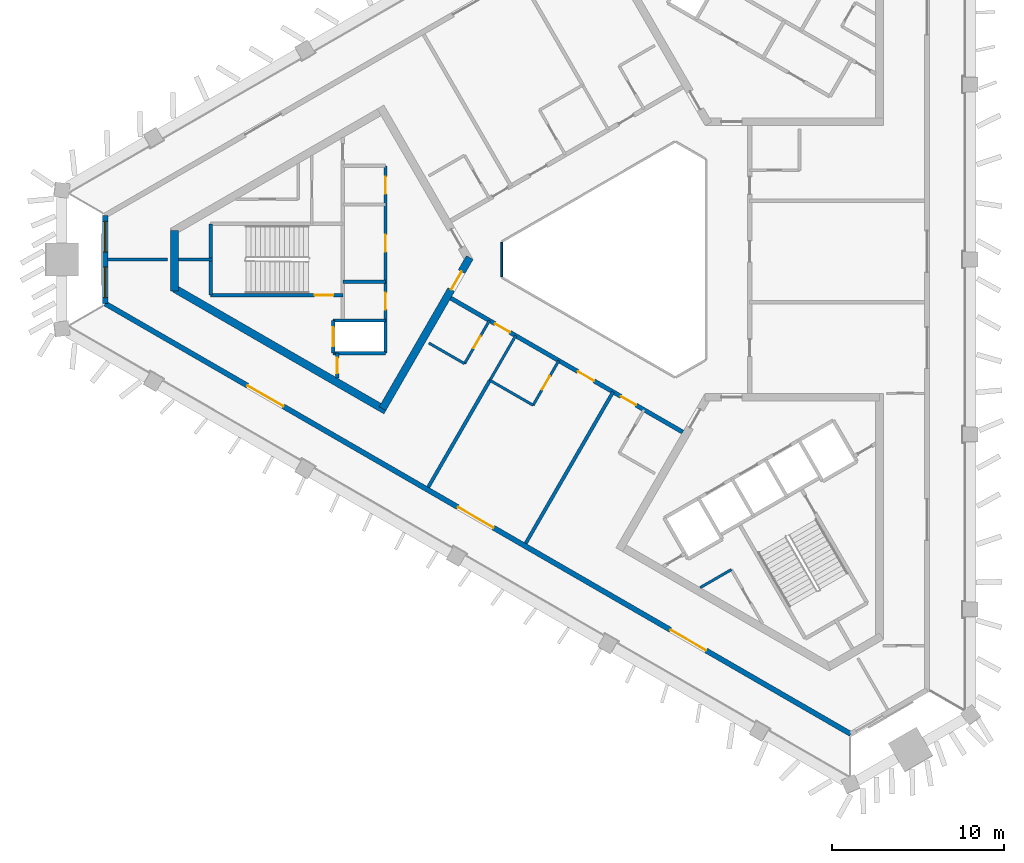
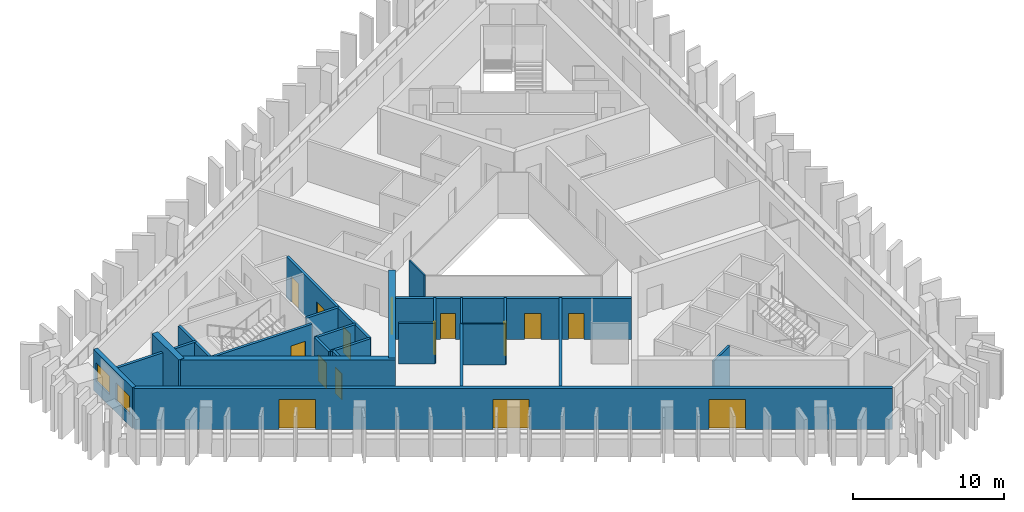
# One storey, part 2 of 9: 25 walls, 15 doors, 2 windows, 17 openings.
"""IFC4 building model written with IfcOpenShell, lengths in metres."""

from ifc_helpers import new_model, si_unit, direction, frame, frame_2d, origin, place, context, subcontext, project, spatial, rectangle, extrude, material, layer, layer_set, type_object, element, fill, save


model = new_model("IFC4")

# Units and contexts
model_context = context("Model", 3, precision=1e-05, world=origin(), true_north=direction((0.0, 1.0)))
body_context = subcontext(model_context, "Body", "Model", "MODEL_VIEW")
ifc_project = project(units=[si_unit("LENGTHUNIT", "METRE"), si_unit("AREAUNIT", "SQUARE_METRE"), si_unit("VOLUMEUNIT", "CUBIC_METRE"), si_unit("PLANEANGLEUNIT", "RADIAN"), si_unit("MASSUNIT", "GRAM", prefix="KILO")], contexts=[model_context])

# Site, building, storey
site_placement = place(None, origin())
site = spatial("IfcSite", under=ifc_project, at=site_placement, CompositionType="ELEMENT")
building_placement = place(site_placement, origin())
building = spatial("IfcBuilding", under=site, at=building_placement, Name="Jabali Bay Hotel Tower and Convention Centre", CompositionType="ELEMENT")
storey_placement = place(building_placement, frame((0.0, 0.0, 231.699951171875)))
storey = spatial("IfcBuildingStorey", under=building, at=storey_placement, Name="L57", CompositionType="ELEMENT", Elevation=231.699951171875)

# Walls
ifc_material_1 = material(Name="Fire-resistant glazing", Category="glass")
ifc_layer_1 = layer(ifc_material_1, 0.10009765625)
ifc_layer_set_1 = layer_set([ifc_layer_1], Name="Fire-resistant glazing")
wall_type_1 = type_object("IfcWallType", Name="Atrium glazed screen 100", PredefinedType="PARTITIONING", material=ifc_layer_set_1)
wall_1_placement = place(storey_placement, frame((67.672119140625, 81.0, 0.0), z_axis=(0.0, 0.0, 1.0), x_axis=(0.0, -1.0, 0.0)))
element("IfcWall", 1, at=wall_1_placement, inside=storey, type_object=wall_type_1, Name="Atrium screen 4 L57", PredefinedType="PARTITIONING", context=body_context, shape_type="SweptSolid", body=[
    extrude(rectangle(XDim=2.0, YDim=0.10009765625, at=frame_2d((1.0, 0.0))), origin(), (0.0, 0.0, 1.0), 3.300048828125),
])
ifc_material_2 = material(Name="Concrete C40", Category="concrete")
ifc_layer_2 = layer(ifc_material_2, 0.199951171875)
ifc_layer_set_2 = layer_set([ifc_layer_2], Name="Concrete C40")
wall_type_2 = type_object("IfcWallType", Name="Core partition wall 200", PredefinedType="PARTITIONING", material=ifc_layer_set_2)
wall_2_placement = place(storey_placement, frame((50.820068359375, 80.0, 0.0), z_axis=(0.0, 0.0, 1.0), x_axis=(-1.0, 0.0, 0.0)))
element("IfcWall", 2, at=wall_2_placement, inside=storey, type_object=wall_type_2, Name="Core wall 0.4 L57", PredefinedType="PARTITIONING", context=body_context, shape_type="SweptSolid", body=[
    extrude(rectangle(XDim=1.97314453125, YDim=0.199951171875, at=frame_2d((0.986572265625, 0.0))), origin(), (0.0, 0.0, 1.0), 3.300048828125),
])

# Wall, opening, door
wall_3_placement = place(storey_placement, frame((58.10009765625, 74.550048828125, 0.0), z_axis=(0.0, 0.0, 1.0), x_axis=(0.0, -1.0, 0.0)))
wall_3 = element("IfcWall", 3, at=wall_3_placement, inside=storey, type_object=wall_type_2, Name="Core wall 0.11 L57", PredefinedType="PARTITIONING", context=body_context, shape_type="SweptSolid", body=[
    extrude(rectangle(XDim=1.455078125, YDim=0.199951171875, at=frame_2d((0.7275390625, 0.0))), origin(), (0.0, 0.0, 1.0), 3.300048828125),
])
opening_1_placement = place(wall_3_placement, frame((0.277587890625, 0.0, 0.0)))
opening_1 = element("IfcOpeningElement", 4, at=opening_1_placement, cuts=wall_3, Name="Opening D1239", PredefinedType="OPENING", context=body_context, shape_type="SweptSolid", body=[
    extrude(rectangle(XDim=0.89990234375, YDim=2.10009765625, at=frame_2d((0.449951171875, 1.050048828125))), frame((0.0, 0.1103515625, 0.0), z_axis=(0.0, -1.0, 0.0), x_axis=(1.0, 0.0, 0.0)), (0.0, 0.0, 1.0), 0.220947265625),
])
ifc_material_3 = material(Name="Fire-rated steel door", Category="steel")
door_type_1 = type_object("IfcDoorType", Name="Vestibule fire door 900 x 2100", OperationType="NOTDEFINED", PredefinedType="NOTDEFINED", material=ifc_material_3)
door_1_placement = place(opening_1_placement, origin())
door_1 = element("IfcDoor", 5, at=door_1_placement, inside=storey, type_object=door_type_1, Name="Vestibule fire door D1239", OperationType="SINGLE_SWING_LEFT", OverallHeight=2.10009765625, OverallWidth=0.89990234375, PredefinedType="NOTDEFINED", context=body_context, shape_type="SweptSolid", body=[
    extrude(rectangle(XDim=0.89990234375, YDim=2.10009765625, at=frame_2d((0.449951171875, 1.050048828125))), frame((0.0, 0.02490234375, 0.0), z_axis=(0.0, -1.0, 0.0), x_axis=(1.0, 0.0, 0.0)), (0.0, 0.0, 1.0), 0.050048828125),
])
fill(opening_1, door_1)

# Walls
ifc_material_4 = material(Name="Fire-rated board partition")
ifc_layer_3 = layer(ifc_material_4, 0.14990234375)
ifc_layer_set_3 = layer_set([ifc_layer_3], Name="Fire-rated board partition")
wall_type_3 = type_object("IfcWallType", Name="Core room partition 150", PredefinedType="PARTITIONING", material=ifc_layer_set_3)
wall_4_placement = place(storey_placement, frame((79.219970703125, 60.9013671875, 0.0), z_axis=(0.0, 0.0, 1.0), x_axis=(0.866040030748, 0.499974664501, 0.0)))
element("IfcWall", 6, at=wall_4_placement, inside=storey, type_object=wall_type_3, Name="Core wall 2.16 L57", PredefinedType="PARTITIONING", context=body_context, shape_type="SweptSolid", body=[
    extrude(rectangle(XDim=2.0947265625, YDim=0.14990234375, at=frame_2d((1.04736328125, 0.0))), origin(), (0.0, 0.0, 1.0), 3.300048828125),
])
ifc_layer_4 = layer(ifc_material_2, 0.199951171875)
ifc_layer_set_4 = layer_set([ifc_layer_4], Name="Concrete C40")
wall_type_4 = type_object("IfcWallType", Name="Core stair wall 200", PredefinedType="SOLIDWALL", material=ifc_layer_set_4)
wall_5_placement = place(storey_placement, frame((60.89990234375, 78.699951171875, 0.0), z_axis=(0.0, 0.0, 1.0), x_axis=(-1.0, 0.0, 0.0)))
element("IfcWall", 7, at=wall_5_placement, inside=storey, type_object=wall_type_4, Name="Core wall 0.5 L57", PredefinedType="SOLIDWALL", context=body_context, shape_type="SweptSolid", body=[
    extrude(rectangle(XDim=2.47998046875, YDim=0.199951171875, at=frame_2d((1.239990234375, 0.0))), origin(), (0.0, 0.0, 1.0), 3.300048828125),
])

# Wall, opening, door
wall_6_placement = place(storey_placement, frame((58.419921875, 77.925048828125, 0.0), z_axis=(0.0, 0.0, 1.0), x_axis=(-1.0, 0.0, 0.0)))
wall_6 = element("IfcWall", 8, at=wall_6_placement, inside=storey, type_object=wall_type_4, Name="Core wall 0.6 L57", PredefinedType="SOLIDWALL", context=body_context, shape_type="SweptSolid", body=[
    extrude(rectangle(XDim=7.699951171875, YDim=0.199951171875, at=frame_2d((3.85009765625, 0.0))), origin(), (0.0, 0.0, 1.0), 3.300048828125),
])
opening_2_placement = place(wall_6_placement, frame((0.550048828125, 0.0, 0.0)))
opening_2 = element("IfcOpeningElement", 9, at=opening_2_placement, cuts=wall_6, Name="Opening D1241", PredefinedType="OPENING", context=body_context, shape_type="SweptSolid", body=[
    extrude(rectangle(XDim=1.10009765625, YDim=2.10009765625, at=frame_2d((0.550048828125, 1.050048828125))), frame((0.0, 0.1103515625, 0.0), z_axis=(0.0, -1.0, 0.0), x_axis=(1.0, 0.0, 0.0)), (0.0, 0.0, 1.0), 0.220947265625),
])
door_type_2 = type_object("IfcDoorType", Name="Stair fire door 1100 x 2100", OperationType="NOTDEFINED", PredefinedType="NOTDEFINED", material=ifc_material_3)
door_2_placement = place(opening_2_placement, origin())
door_2 = element("IfcDoor", 10, at=door_2_placement, inside=storey, type_object=door_type_2, Name="Stair fire door D1241", OperationType="SINGLE_SWING_RIGHT", OverallHeight=2.10009765625, OverallWidth=1.10009765625, PredefinedType="NOTDEFINED", context=body_context, shape_type="SweptSolid", body=[
    extrude(rectangle(XDim=1.10009765625, YDim=2.10009765625, at=frame_2d((0.550048828125, 1.050048828125))), frame((0.0, 0.02490234375, 0.0), z_axis=(0.0, -1.0, 0.0), x_axis=(1.0, 0.0, 0.0)), (0.0, 0.0, 1.0), 0.050048828125),
])
fill(opening_2, door_2)

# Walls
for number, where, z_axis, x_axis, name in (
    (11, (60.89990234375, 76.449951171875, 0.0), (0.0, 0.0, 1.0), (-1.0, 0.0, 0.0), "Core wall 0.7 L57"),
    (12, (60.89990234375, 74.550048828125, 0.0), (0.0, 0.0, 1.0), (-1.0, 0.0, 0.0), "Core wall 0.8 L57"),
):
    element("IfcWall", number, at=place(storey_placement, frame(where, z_axis=z_axis, x_axis=x_axis)), inside=storey, type_object=wall_type_4, Name=name, PredefinedType="SOLIDWALL", context=body_context, shape_type="SweptSolid", body=[
        extrude(rectangle(XDim=3.0498046875, YDim=0.199951171875, at=frame_2d((1.52490234375, 0.0))), origin(), (0.0, 0.0, 1.0), 3.300048828125),
    ])

# Wall, openings, doors
wall_7_placement = place(storey_placement, frame((60.89990234375, 85.449951171875, 0.0), z_axis=(0.0, 0.0, 1.0), x_axis=(0.0, -1.0, 0.0)))
wall_7 = element("IfcWall", 13, at=wall_7_placement, inside=storey, type_object=wall_type_4, Name="Core wall 0.9 L57", PredefinedType="SOLIDWALL", context=body_context, shape_type="SweptSolid", body=[
    extrude(rectangle(XDim=10.89990234375, YDim=0.199951171875, at=frame_2d((5.449951171875, 0.0))), origin(), (0.0, 0.0, 1.0), 3.300048828125),
])
opening_3_placement = place(wall_7_placement, frame((0.625, 0.0, 0.0)))
opening_3 = element("IfcOpeningElement", 14, at=opening_3_placement, cuts=wall_7, Name="Opening D1235", PredefinedType="OPENING", context=body_context, shape_type="SweptSolid", body=[
    extrude(rectangle(XDim=1.0, YDim=2.10009765625, at=frame_2d((0.5, 1.050048828125))), frame((0.0, 0.1103515625, 0.0), z_axis=(0.0, -1.0, 0.0), x_axis=(1.0, 0.0, 0.0)), (0.0, 0.0, 1.0), 0.220947265625),
])
opening_4_placement = place(wall_7_placement, frame((4.0, 0.0, 0.0)))
opening_4 = element("IfcOpeningElement", 15, at=opening_4_placement, cuts=wall_7, Name="Opening D1236", PredefinedType="OPENING", context=body_context, shape_type="SweptSolid", body=[
    extrude(rectangle(XDim=1.0, YDim=2.10009765625, at=frame_2d((0.5, 1.050048828125))), frame((0.0, 0.1103515625, 0.0), z_axis=(0.0, -1.0, 0.0), x_axis=(1.0, 0.0, 0.0)), (0.0, 0.0, 1.0), 0.220947265625),
])
opening_5_placement = place(wall_7_placement, frame((7.375, 0.0, 0.0)))
opening_5 = element("IfcOpeningElement", 16, at=opening_5_placement, cuts=wall_7, Name="Opening D1237", PredefinedType="OPENING", context=body_context, shape_type="SweptSolid", body=[
    extrude(rectangle(XDim=1.0, YDim=2.10009765625, at=frame_2d((0.5, 1.050048828125))), frame((0.0, 0.1103515625, 0.0), z_axis=(0.0, -1.0, 0.0), x_axis=(1.0, 0.0, 0.0)), (0.0, 0.0, 1.0), 0.220947265625),
])
door_type_3 = type_object("IfcDoorType", Name="Core room door 1000 x 2100", OperationType="NOTDEFINED", PredefinedType="NOTDEFINED", material=ifc_material_3)
door_3_placement = place(opening_3_placement, origin())
door_3 = element("IfcDoor", 17, at=door_3_placement, inside=storey, type_object=door_type_3, Name="Core room door D1235", OperationType="SINGLE_SWING_RIGHT", OverallHeight=2.10009765625, OverallWidth=1.0, PredefinedType="NOTDEFINED", context=body_context, shape_type="SweptSolid", body=[
    extrude(rectangle(XDim=1.0, YDim=2.10009765625, at=frame_2d((0.5, 1.050048828125))), frame((0.0, 0.02490234375, 0.0), z_axis=(0.0, -1.0, 0.0), x_axis=(1.0, 0.0, 0.0)), (0.0, 0.0, 1.0), 0.050048828125),
])
fill(opening_3, door_3)
door_4_placement = place(opening_4_placement, origin())
door_4 = element("IfcDoor", 18, at=door_4_placement, inside=storey, type_object=door_type_3, Name="Core room door D1236", OperationType="SINGLE_SWING_RIGHT", OverallHeight=2.10009765625, OverallWidth=1.0, PredefinedType="NOTDEFINED", context=body_context, shape_type="SweptSolid", body=[
    extrude(rectangle(XDim=1.0, YDim=2.10009765625, at=frame_2d((0.5, 1.050048828125))), frame((0.0, 0.02490234375, 0.0), z_axis=(0.0, -1.0, 0.0), x_axis=(1.0, 0.0, 0.0)), (0.0, 0.0, 1.0), 0.050048828125),
])
fill(opening_4, door_4)
door_5_placement = place(opening_5_placement, origin())
door_5 = element("IfcDoor", 19, at=door_5_placement, inside=storey, type_object=door_type_3, Name="Core room door D1237", OperationType="SINGLE_SWING_RIGHT", OverallHeight=2.10009765625, OverallWidth=1.0, PredefinedType="NOTDEFINED", context=body_context, shape_type="SweptSolid", body=[
    extrude(rectangle(XDim=1.0, YDim=2.10009765625, at=frame_2d((0.5, 1.050048828125))), frame((0.0, 0.02490234375, 0.0), z_axis=(0.0, -1.0, 0.0), x_axis=(1.0, 0.0, 0.0)), (0.0, 0.0, 1.0), 0.050048828125),
])
fill(opening_5, door_5)

# Wall, opening, door
wall_8_placement = place(storey_placement, frame((57.85009765625, 76.449951171875, 0.0), z_axis=(0.0, 0.0, 1.0), x_axis=(0.0, -1.0, 0.0)))
wall_8 = element("IfcWall", 20, at=wall_8_placement, inside=storey, type_object=wall_type_4, Name="Core wall 0.12 L57", PredefinedType="SOLIDWALL", context=body_context, shape_type="SweptSolid", body=[
    extrude(rectangle(XDim=1.89990234375, YDim=0.199951171875, at=frame_2d((0.949951171875, 0.0))), origin(), (0.0, 0.0, 1.0), 3.300048828125),
])
opening_6_placement = place(wall_8_placement, frame((0.39990234375, 0.0, 0.0)))
opening_6 = element("IfcOpeningElement", 21, at=opening_6_placement, cuts=wall_8, Name="Opening LD5-L57", PredefinedType="OPENING", context=body_context, shape_type="SweptSolid", body=[
    extrude(rectangle(XDim=1.10009765625, YDim=2.10009765625, at=frame_2d((0.550048828125, 1.050048828125))), frame((0.0, 0.1103515625, 0.0), z_axis=(0.0, -1.0, 0.0), x_axis=(1.0, 0.0, 0.0)), (0.0, 0.0, 1.0), 0.220947265625),
])
ifc_material_5 = material(Name="Stainless steel landing door", Category="steel")
door_type_4 = type_object("IfcDoorType", Name="Landing door 1100 x 2100", OperationType="NOTDEFINED", PredefinedType="NOTDEFINED", material=ifc_material_5)
door_6_placement = place(opening_6_placement, origin())
door_6 = element("IfcDoor", 22, at=door_6_placement, inside=storey, type_object=door_type_4, Name="Landing doors LD5-L57", OperationType="SLIDING_TO_RIGHT", OverallHeight=2.10009765625, OverallWidth=1.10009765625, PredefinedType="NOTDEFINED", context=body_context, shape_type="SweptSolid", body=[
    extrude(rectangle(XDim=1.10009765625, YDim=2.10009765625, at=frame_2d((0.550048828125, 1.050048828125))), frame((0.0, 0.02490234375, 0.0), z_axis=(0.0, -1.0, 0.0), x_axis=(1.0, 0.0, 0.0)), (0.0, 0.0, 1.0), 0.050048828125),
])
fill(opening_6, door_6)

# Walls
wall_9_placement = place(storey_placement, frame((50.719970703125, 82.074951171875, 0.0), z_axis=(0.0, 0.0, 1.0), x_axis=(0.0, -1.0, 0.0)))
element("IfcWall", 23, at=wall_9_placement, inside=storey, type_object=wall_type_4, Name="Core wall 0.15 L57", PredefinedType="SOLIDWALL", context=body_context, shape_type="SweptSolid", body=[
    extrude(rectangle(XDim=4.14990234375, YDim=0.199951171875, at=frame_2d((2.074951171875, 0.0))), origin(), (0.0, 0.0, 1.0), 3.300048828125),
])
ifc_material_6 = material(Name="Concrete C60", Category="concrete")
ifc_layer_5 = layer(ifc_material_6, 0.449951171875)
ifc_layer_set_5 = layer_set([ifc_layer_5], Name="Concrete C60")
wall_type_5 = type_object("IfcWallType", Name="Core wall 450", PredefinedType="SHEAR", material=ifc_layer_set_5)
wall_10_placement = place(storey_placement, frame((48.621826171875, 81.692626953125, 0.0), z_axis=(0.0, 0.0, 1.0), x_axis=(0.0, -1.0, 0.0)))
element("IfcWall", 24, at=wall_10_placement, inside=storey, type_object=wall_type_5, Name="Core wall 1.3 L57", PredefinedType="SHEAR", context=body_context, shape_type="SweptSolid", body=[
    extrude(rectangle(XDim=3.515380859375, YDim=0.449951171875, at=frame_2d((1.7578125, 0.0))), origin(), (0.0, 0.0, 1.0), 3.699951171875),
])
wall_11_placement = place(storey_placement, frame((48.621826171875, 78.307373046875, 0.0), z_axis=(0.0, 0.0, 1.0), x_axis=(0.86602701116, -0.499997215934, 0.0)))
element("IfcWall", 25, at=wall_11_placement, inside=storey, type_object=wall_type_5, Name="Core wall 1.4 L57", PredefinedType="SHEAR", context=body_context, shape_type="SweptSolid", body=[
    extrude(rectangle(XDim=14.20361328125, YDim=0.449951171875, at=frame_2d((7.101806640625, 0.0))), origin(), (0.0, 0.0, 1.0), 3.699951171875),
])

# Wall, opening, door
wall_12_placement = place(storey_placement, frame((60.7275390625, 71.318115234375, 0.0), z_axis=(0.0, 0.0, 1.0), x_axis=(0.500012416173, 0.866018235185, 0.0)))
wall_12 = element("IfcWall", 26, at=wall_12_placement, inside=storey, type_object=wall_type_5, Name="Core wall 1.5 L57", PredefinedType="SHEAR", context=body_context, shape_type="SweptSolid", body=[
    extrude(rectangle(XDim=10.155029296875, YDim=0.449951171875, at=frame_2d((5.07763671875, 0.0))), origin(), (0.0, 0.0, 1.0), 3.699951171875),
])
opening_7_placement = place(wall_12_placement, frame((8.0048828125, 0.0, 0.0)))
opening_7 = element("IfcOpeningElement", 27, at=opening_7_placement, cuts=wall_12, Name="Opening D1234", PredefinedType="OPENING", context=body_context, shape_type="SweptSolid", body=[
    extrude(rectangle(XDim=1.199951171875, YDim=2.10009765625, at=frame_2d((0.60009765625, 1.050048828125))), frame((0.0, 0.2353515625, 0.0), z_axis=(0.0, -1.0, 0.0), x_axis=(1.0, 0.0, 0.0)), (0.0, 0.0, 1.0), 0.470947265625),
])
door_type_5 = type_object("IfcDoorType", Name="Corridor end fire door 1200 x 2100", OperationType="NOTDEFINED", PredefinedType="NOTDEFINED", material=ifc_material_3)
door_7_placement = place(opening_7_placement, origin())
door_7 = element("IfcDoor", 28, at=door_7_placement, inside=storey, type_object=door_type_5, Name="Corridor end fire door D1234", OperationType="SINGLE_SWING_LEFT", OverallHeight=2.10009765625, OverallWidth=1.199951171875, PredefinedType="NOTDEFINED", context=body_context, shape_type="SweptSolid", body=[
    extrude(rectangle(XDim=1.199951171875, YDim=2.10009765625, at=frame_2d((0.60009765625, 1.050048828125))), frame((0.0, 0.02490234375, 0.0), z_axis=(0.0, -1.0, 0.0), x_axis=(1.0, 0.0, 0.0)), (0.0, 0.0, 1.0), 0.050048828125),
])
fill(opening_7, door_7)

# Wall, openings, doors
ifc_layer_6 = layer(ifc_material_6, 0.25)
ifc_layer_set_6 = layer_set([ifc_layer_6], Name="Concrete C60")
wall_type_6 = type_object("IfcWallType", Name="Corridor wall 250", PredefinedType="SHEAR", material=ifc_layer_set_6)
wall_13_placement = place(storey_placement, frame((64.699951171875, 77.748291015625, 0.0), z_axis=(0.0, 0.0, 1.0), x_axis=(0.866026492143, -0.499998114903, 0.0)))
wall_13 = element("IfcWall", 29, at=wall_13_placement, inside=storey, type_object=wall_type_6, Name="Corridor wall 3 L57", PredefinedType="SHEAR", context=body_context, shape_type="SweptSolid", body=[
    extrude(rectangle(XDim=15.58837890625, YDim=0.25, at=frame_2d((7.794189453125, 0.0))), origin(), (0.0, 0.0, 1.0), 3.300048828125),
])
opening_8_placement = place(wall_13_placement, frame((2.982421875, 0.0, 0.0)))
opening_8 = element("IfcOpeningElement", 30, at=opening_8_placement, cuts=wall_13, Name="Opening 5714", PredefinedType="OPENING", context=body_context, shape_type="SweptSolid", body=[
    extrude(rectangle(XDim=1.0, YDim=2.10009765625, at=frame_2d((0.5, 1.050048828125))), frame((0.0, 0.135498046875, 0.0), z_axis=(0.0, -1.0, 0.0), x_axis=(1.0, 0.0, 0.0)), (0.0, 0.0, 1.0), 0.27099609375),
])
opening_9_placement = place(wall_13_placement, frame((8.538330078125, 0.0, 0.0)))
opening_9 = element("IfcOpeningElement", 31, at=opening_9_placement, cuts=wall_13, Name="Opening 5716", PredefinedType="OPENING", context=body_context, shape_type="SweptSolid", body=[
    extrude(rectangle(XDim=1.10009765625, YDim=2.10009765625, at=frame_2d((0.550048828125, 1.050048828125))), frame((0.0, 0.135498046875, 0.0), z_axis=(0.0, -1.0, 0.0), x_axis=(1.0, 0.0, 0.0)), (0.0, 0.0, 1.0), 0.27099609375),
])
opening_10_placement = place(wall_13_placement, frame((11.4501953125, 0.0, 0.0)))
opening_10 = element("IfcOpeningElement", 32, at=opening_10_placement, cuts=wall_13, Name="Opening 5718", PredefinedType="OPENING", context=body_context, shape_type="SweptSolid", body=[
    extrude(rectangle(XDim=1.0, YDim=2.10009765625, at=frame_2d((0.5, 1.050048828125))), frame((0.0, 0.135498046875, 0.0), z_axis=(0.0, -1.0, 0.0), x_axis=(1.0, 0.0, 0.0)), (0.0, 0.0, 1.0), 0.27099609375),
])
ifc_material_7 = material(Name="Timber", Category="wood")
door_type_6 = type_object("IfcDoorType", Name="Accessible guest room door 1100 x 2100", OperationType="NOTDEFINED", PredefinedType="NOTDEFINED", material=ifc_material_7)
door_8_placement = place(opening_9_placement, origin())
door_8 = element("IfcDoor", 33, at=door_8_placement, inside=storey, type_object=door_type_6, Name="Door 5716", OperationType="SINGLE_SWING_RIGHT", OverallHeight=2.10009765625, OverallWidth=1.10009765625, PredefinedType="NOTDEFINED", context=body_context, shape_type="SweptSolid", body=[
    extrude(rectangle(XDim=1.10009765625, YDim=2.10009765625, at=frame_2d((0.550048828125, 1.050048828125))), frame((0.0, 0.02490234375, 0.0), z_axis=(0.0, -1.0, 0.0), x_axis=(1.0, 0.0, 0.0)), (0.0, 0.0, 1.0), 0.050048828125),
])
fill(opening_9, door_8)
door_type_7 = type_object("IfcDoorType", Name="Guest room door 1000 x 2100", OperationType="NOTDEFINED", PredefinedType="NOTDEFINED", material=ifc_material_7)
door_9_placement = place(opening_8_placement, origin())
door_9 = element("IfcDoor", 34, at=door_9_placement, inside=storey, type_object=door_type_7, Name="Door 5714", OperationType="SINGLE_SWING_LEFT", OverallHeight=2.10009765625, OverallWidth=1.0, PredefinedType="NOTDEFINED", context=body_context, shape_type="SweptSolid", body=[
    extrude(rectangle(XDim=1.0, YDim=2.10009765625, at=frame_2d((0.5, 1.050048828125))), frame((0.0, 0.02490234375, 0.0), z_axis=(0.0, -1.0, 0.0), x_axis=(1.0, 0.0, 0.0)), (0.0, 0.0, 1.0), 0.050048828125),
])
fill(opening_8, door_9)
door_10_placement = place(opening_10_placement, origin())
door_10 = element("IfcDoor", 35, at=door_10_placement, inside=storey, type_object=door_type_7, Name="Door 5718", OperationType="SINGLE_SWING_RIGHT", OverallHeight=2.10009765625, OverallWidth=1.0, PredefinedType="NOTDEFINED", context=body_context, shape_type="SweptSolid", body=[
    extrude(rectangle(XDim=1.0, YDim=2.10009765625, at=frame_2d((0.5, 1.050048828125))), frame((0.0, 0.02490234375, 0.0), z_axis=(0.0, -1.0, 0.0), x_axis=(1.0, 0.0, 0.0)), (0.0, 0.0, 1.0), 0.050048828125),
])
fill(opening_10, door_10)

# Wall, openings, windows
ifc_layer_7 = layer(ifc_material_2, 0.300048828125)
ifc_layer_set_7 = layer_set([ifc_layer_7], Name="Concrete C40")
wall_type_7 = type_object("IfcWallType", Name="External wall 300", PredefinedType="SOLIDWALL", material=ifc_layer_set_7)
wall_14_placement = place(storey_placement, frame((44.58447265625, 77.4365234375, 0.0), z_axis=(0.0, 0.0, 1.0), x_axis=(0.0, 1.0, 0.0)))
wall_14 = element("IfcWall", 36, at=wall_14_placement, inside=storey, type_object=wall_type_7, Name="External wall west chamfer L57", PredefinedType="SOLIDWALL", context=body_context, shape_type="SweptSolid", body=[
    extrude(rectangle(XDim=5.126953125, YDim=0.300048828125, at=frame_2d((2.5634765625, 0.0))), origin(), (0.0, 0.0, 1.0), 3.300048828125),
])
opening_11_placement = place(wall_14_placement, frame((2.988037109375, 0.0, 0.89990234375)))
opening_11 = element("IfcOpeningElement", 37, at=opening_11_placement, cuts=wall_14, Name="Opening W1", PredefinedType="OPENING", context=body_context, shape_type="SweptSolid", body=[
    extrude(rectangle(XDim=1.800048828125, YDim=1.5, at=frame_2d((0.89990234375, 0.75))), frame((0.0, 0.16064453125, 0.0), z_axis=(0.0, -1.0, 0.0), x_axis=(1.0, 0.0, 0.0)), (0.0, 0.0, 1.0), 0.321044921875),
])
opening_12_placement = place(wall_14_placement, frame((0.3388671875, 0.0, 0.89990234375)))
opening_12 = element("IfcOpeningElement", 38, at=opening_12_placement, cuts=wall_14, Name="Opening W1", PredefinedType="OPENING", context=body_context, shape_type="SweptSolid", body=[
    extrude(rectangle(XDim=1.800048828125, YDim=1.5, at=frame_2d((0.89990234375, 0.75))), frame((0.0, 0.16064453125, 0.0), z_axis=(0.0, -1.0, 0.0), x_axis=(1.0, 0.0, 0.0)), (0.0, 0.0, 1.0), 0.321044921875),
])
ifc_material_8 = material(Name="Glass", Category="glass")
window_type = type_object("IfcWindowType", Name="Window 1800 x 1500", PartitioningType="SINGLE_PANEL", PredefinedType="WINDOW", material=ifc_material_8)
window_1_placement = place(opening_11_placement, origin())
window_1 = element("IfcWindow", 39, at=window_1_placement, inside=storey, type_object=window_type, Name="Window 5705", OverallHeight=1.5, OverallWidth=1.800048828125, PartitioningType="SINGLE_PANEL", PredefinedType="WINDOW", context=body_context, shape_type="SweptSolid", body=[
    extrude(rectangle(XDim=1.800048828125, YDim=1.5, at=frame_2d((0.89990234375, 0.75))), frame((0.0, 0.030029296875, 0.0), z_axis=(0.0, -1.0, 0.0), x_axis=(1.0, 0.0, 0.0)), (0.0, 0.0, 1.0), 0.06005859375),
])
fill(opening_11, window_1)
window_2_placement = place(opening_12_placement, origin())
window_2 = element("IfcWindow", 40, at=window_2_placement, inside=storey, type_object=window_type, Name="Window 5706", OverallHeight=1.5, OverallWidth=1.800048828125, PartitioningType="SINGLE_PANEL", PredefinedType="WINDOW", context=body_context, shape_type="SweptSolid", body=[
    extrude(rectangle(XDim=1.800048828125, YDim=1.5, at=frame_2d((0.89990234375, 0.75))), frame((0.0, 0.030029296875, 0.0), z_axis=(0.0, -1.0, 0.0), x_axis=(1.0, 0.0, 0.0)), (0.0, 0.0, 1.0), 0.06005859375),
])
fill(opening_12, window_2)

# Wall, openings, doors
wall_15_placement = place(storey_placement, frame((87.98779296875, 52.37744140625, 0.0), z_axis=(0.0, 0.0, 1.0), x_axis=(-0.866023992326, 0.500002444709, 0.0)))
wall_15 = element("IfcWall", 41, at=wall_15_placement, inside=storey, type_object=wall_type_7, Name="External wall south-west face L57", PredefinedType="SOLIDWALL", context=body_context, shape_type="SweptSolid", body=[
    extrude(rectangle(XDim=50.117919921875, YDim=0.300048828125, at=frame_2d((25.05908203125, 0.0))), origin(), (0.0, 0.0, 1.0), 3.300048828125),
])
opening_13_placement = place(wall_15_placement, frame((24.014892578125, 0.0, 0.0)))
opening_13 = element("IfcOpeningElement", 42, at=opening_13_placement, cuts=wall_15, Name="Opening SD1", PredefinedType="OPENING", context=body_context, shape_type="SweptSolid", body=[
    extrude(rectangle(XDim=2.39990234375, YDim=2.39990234375, at=frame_2d((1.199951171875, 1.199951171875))), frame((0.0, 0.16064453125, 0.0), z_axis=(0.0, -1.0, 0.0), x_axis=(1.0, 0.0, 0.0)), (0.0, 0.0, 1.0), 0.321044921875),
])
opening_14_placement = place(wall_15_placement, frame((38.146484375, 0.0, 0.0)))
opening_14 = element("IfcOpeningElement", 43, at=opening_14_placement, cuts=wall_15, Name="Opening SD1", PredefinedType="OPENING", context=body_context, shape_type="SweptSolid", body=[
    extrude(rectangle(XDim=2.39990234375, YDim=2.39990234375, at=frame_2d((1.199951171875, 1.199951171875))), frame((0.0, 0.16064453125, 0.0), z_axis=(0.0, -1.0, 0.0), x_axis=(1.0, 0.0, 0.0)), (0.0, 0.0, 1.0), 0.321044921875),
])
opening_15_placement = place(wall_15_placement, frame((9.727294921875, 0.0, 0.0)))
opening_15 = element("IfcOpeningElement", 44, at=opening_15_placement, cuts=wall_15, Name="Opening SD1", PredefinedType="OPENING", context=body_context, shape_type="SweptSolid", body=[
    extrude(rectangle(XDim=2.39990234375, YDim=2.39990234375, at=frame_2d((1.199951171875, 1.199951171875))), frame((0.0, 0.16064453125, 0.0), z_axis=(0.0, -1.0, 0.0), x_axis=(1.0, 0.0, 0.0)), (0.0, 0.0, 1.0), 0.321044921875),
])
door_type_8 = type_object("IfcDoorType", Name="Loggia sliding door 2400 x 2400", OperationType="NOTDEFINED", PredefinedType="NOTDEFINED", material=ifc_material_8)
door_11_placement = place(opening_13_placement, origin())
door_11 = element("IfcDoor", 45, at=door_11_placement, inside=storey, type_object=door_type_8, Name="Loggia sliding door 5707", OperationType="SLIDING_TO_LEFT", OverallHeight=2.39990234375, OverallWidth=2.39990234375, PredefinedType="NOTDEFINED", context=body_context, shape_type="SweptSolid", body=[
    extrude(rectangle(XDim=2.39990234375, YDim=2.39990234375, at=frame_2d((1.199951171875, 1.199951171875))), frame((0.0, 0.02490234375, 0.0), z_axis=(0.0, -1.0, 0.0), x_axis=(1.0, 0.0, 0.0)), (0.0, 0.0, 1.0), 0.050048828125),
])
fill(opening_13, door_11)
door_12_placement = place(opening_14_placement, origin())
door_12 = element("IfcDoor", 46, at=door_12_placement, inside=storey, type_object=door_type_8, Name="Loggia sliding door 5706", OperationType="SLIDING_TO_RIGHT", OverallHeight=2.39990234375, OverallWidth=2.39990234375, PredefinedType="NOTDEFINED", context=body_context, shape_type="SweptSolid", body=[
    extrude(rectangle(XDim=2.39990234375, YDim=2.39990234375, at=frame_2d((1.199951171875, 1.199951171875))), frame((0.0, 0.02490234375, 0.0), z_axis=(0.0, -1.0, 0.0), x_axis=(1.0, 0.0, 0.0)), (0.0, 0.0, 1.0), 0.050048828125),
])
fill(opening_14, door_12)
door_13_placement = place(opening_15_placement, origin())
door_13 = element("IfcDoor", 47, at=door_13_placement, inside=storey, type_object=door_type_8, Name="Loggia sliding door 5708", OperationType="SLIDING_TO_LEFT", OverallHeight=2.39990234375, OverallWidth=2.39990234375, PredefinedType="NOTDEFINED", context=body_context, shape_type="SweptSolid", body=[
    extrude(rectangle(XDim=2.39990234375, YDim=2.39990234375, at=frame_2d((1.199951171875, 1.199951171875))), frame((0.0, 0.02490234375, 0.0), z_axis=(0.0, -1.0, 0.0), x_axis=(1.0, 0.0, 0.0)), (0.0, 0.0, 1.0), 0.050048828125),
])
fill(opening_15, door_13)

# Wall, opening, door
ifc_material_9 = material(Name="Plasterboard on steel stud", Category="steel")
ifc_layer_8 = layer(ifc_material_9, 0.14990234375)
ifc_layer_set_8 = layer_set([ifc_layer_8], Name="Plasterboard on steel stud")
wall_type_8 = type_object("IfcWallType", Name="Partition 150 wet", PredefinedType="PARTITIONING", material=ifc_layer_set_8)
wall_16_placement = place(storey_placement, frame((66.95166015625, 76.4482421875, 0.0), z_axis=(0.0, 0.0, 1.0), x_axis=(-0.499987231761, -0.866032775405, 0.0)))
wall_16 = element("IfcWall", 48, at=wall_16_placement, inside=storey, type_object=wall_type_8, Name="Partition P03 L57 019", PredefinedType="PARTITIONING", context=body_context, shape_type="SweptSolid", body=[
    extrude(rectangle(XDim=2.89990234375, YDim=0.14990234375, at=frame_2d((1.449951171875, 0.0))), origin(), (0.0, 0.0, 1.0), 3.300048828125),
])
opening_16_placement = place(wall_16_placement, frame((1.050048828125, 0.0, 0.0)))
opening_16 = element("IfcOpeningElement", 49, at=opening_16_placement, cuts=wall_16, Name="Opening 5713", PredefinedType="OPENING", context=body_context, shape_type="SweptSolid", body=[
    extrude(rectangle(XDim=0.800048828125, YDim=2.10009765625, at=frame_2d((0.39990234375, 1.050048828125))), frame((0.0, 0.08544921875, 0.0), z_axis=(0.0, -1.0, 0.0), x_axis=(1.0, 0.0, 0.0)), (0.0, 0.0, 1.0), 0.1708984375),
])
door_type_9 = type_object("IfcDoorType", Name="En-suite door 800 x 2100", OperationType="NOTDEFINED", PredefinedType="NOTDEFINED", material=ifc_material_7)
door_14_placement = place(opening_16_placement, origin())
door_14 = element("IfcDoor", 50, at=door_14_placement, inside=storey, type_object=door_type_9, Name="Door 5713", OperationType="SINGLE_SWING_RIGHT", OverallHeight=2.10009765625, OverallWidth=0.800048828125, PredefinedType="NOTDEFINED", context=body_context, shape_type="SweptSolid", body=[
    extrude(rectangle(XDim=0.800048828125, YDim=2.10009765625, at=frame_2d((0.39990234375, 1.050048828125))), frame((0.0, 0.02490234375, 0.0), z_axis=(0.0, -1.0, 0.0), x_axis=(1.0, 0.0, 0.0)), (0.0, 0.0, 1.0), 0.050048828125),
])
fill(opening_16, door_14)

# Walls
wall_17_placement = place(storey_placement, frame((65.501708984375, 73.936767578125, 0.0), z_axis=(0.0, 0.0, 1.0), x_axis=(-0.865994240961, 0.500053971709, 0.0)))
element("IfcWall", 51, at=wall_17_placement, inside=storey, type_object=wall_type_8, Name="Partition P03 L57 020", PredefinedType="PARTITIONING", context=body_context, shape_type="SweptSolid", body=[
    extrude(rectangle(XDim=2.401123046875, YDim=0.14990234375, at=frame_2d((1.20068359375, 0.0))), origin(), (0.0, 0.0, 1.0), 3.300048828125),
])
wall_18_placement = place(storey_placement, frame((66.97998046875, 72.9677734375, 0.0), z_axis=(0.0, 0.0, 1.0), x_axis=(0.499990139034, 0.866031096941, 0.0)))
element("IfcWall", 52, at=wall_18_placement, inside=storey, type_object=wall_type_8, Name="Partition P03 L57 022", PredefinedType="PARTITIONING", context=body_context, shape_type="SweptSolid", body=[
    extrude(rectangle(XDim=3.0, YDim=0.14990234375, at=frame_2d((1.5, 0.0))), origin(), (0.0, 0.0, 1.0), 3.300048828125),
])

# Wall, opening, door
wall_19_placement = place(storey_placement, frame((70.991455078125, 74.115966796875, 0.0), z_axis=(0.0, 0.0, 1.0), x_axis=(-0.499990139034, -0.866031096941, 0.0)))
wall_19 = element("IfcWall", 53, at=wall_19_placement, inside=storey, type_object=wall_type_8, Name="Partition P03 L57 023", PredefinedType="PARTITIONING", context=body_context, shape_type="SweptSolid", body=[
    extrude(rectangle(XDim=3.0, YDim=0.14990234375, at=frame_2d((1.5, 0.0))), origin(), (0.0, 0.0, 1.0), 3.300048828125),
])
opening_17_placement = place(wall_19_placement, frame((1.050048828125, 0.0, 0.0)))
opening_17 = element("IfcOpeningElement", 54, at=opening_17_placement, cuts=wall_19, Name="Opening 5715", PredefinedType="OPENING", context=body_context, shape_type="SweptSolid", body=[
    extrude(rectangle(XDim=0.89990234375, YDim=2.10009765625, at=frame_2d((0.449951171875, 1.050048828125))), frame((0.0, 0.08544921875, 0.0), z_axis=(0.0, -1.0, 0.0), x_axis=(1.0, 0.0, 0.0)), (0.0, 0.0, 1.0), 0.1708984375),
])
door_type_10 = type_object("IfcDoorType", Name="Accessible en-suite door 900 x 2100", OperationType="NOTDEFINED", PredefinedType="NOTDEFINED", material=ifc_material_7)
door_15_placement = place(opening_17_placement, origin())
door_15 = element("IfcDoor", 55, at=door_15_placement, inside=storey, type_object=door_type_10, Name="Door 5715", OperationType="SINGLE_SWING_RIGHT", OverallHeight=2.10009765625, OverallWidth=0.89990234375, PredefinedType="NOTDEFINED", context=body_context, shape_type="SweptSolid", body=[
    extrude(rectangle(XDim=0.89990234375, YDim=2.10009765625, at=frame_2d((0.449951171875, 1.050048828125))), frame((0.0, 0.02490234375, 0.0), z_axis=(0.0, -1.0, 0.0), x_axis=(1.0, 0.0, 0.0)), (0.0, 0.0, 1.0), 0.050048828125),
])
fill(opening_17, door_15)

# Walls
wall_20_placement = place(storey_placement, frame((69.491455078125, 71.517822265625, 0.0), z_axis=(0.0, 0.0, 1.0), x_axis=(-0.866032775405, 0.499987231761, 0.0)))
element("IfcWall", 56, at=wall_20_placement, inside=storey, type_object=wall_type_8, Name="Partition P03 L57 024", PredefinedType="PARTITIONING", context=body_context, shape_type="SweptSolid", body=[
    extrude(rectangle(XDim=2.89990234375, YDim=0.14990234375, at=frame_2d((1.449951171875, 0.0))), origin(), (0.0, 0.0, 1.0), 3.300048828125),
])
ifc_layer_9 = layer(ifc_material_9, 0.199951171875)
ifc_layer_set_9 = layer_set([ifc_layer_9], Name="Plasterboard on steel stud")
wall_type_9 = type_object("IfcWallType", Name="Partition 200 party", PredefinedType="PARTITIONING", material=ifc_layer_set_9)
wall_21_placement = place(storey_placement, frame((44.7333984375, 80.0009765625, 0.0), z_axis=(0.0, 0.0, 1.0), x_axis=(1.0, 0.0, 0.0)))
element("IfcWall", 57, at=wall_21_placement, inside=storey, type_object=wall_type_9, Name="Partition P01 L57 018", PredefinedType="PARTITIONING", context=body_context, shape_type="SweptSolid", body=[
    extrude(rectangle(XDim=3.464599609375, YDim=0.199951171875, at=frame_2d((1.732421875, 0.0))), origin(), (0.0, 0.0, 1.0), 3.300048828125),
])
wall_22_placement = place(storey_placement, frame((63.390625, 66.750732421875, 0.0), z_axis=(0.0, 0.0, 1.0), x_axis=(0.499994271117, 0.866028711331, 0.0)))
element("IfcWall", 58, at=wall_22_placement, inside=storey, type_object=wall_type_9, Name="Partition P01 L57 021", PredefinedType="PARTITIONING", context=body_context, shape_type="SweptSolid", body=[
    extrude(rectangle(XDim=7.1787109375, YDim=0.199951171875, at=frame_2d((3.58935546875, 0.0))), origin(), (0.0, 0.0, 1.0), 3.300048828125),
])
wall_23_placement = place(storey_placement, frame((69.060546875, 63.477294921875, 0.0), z_axis=(0.0, 0.0, 1.0), x_axis=(0.499993053251, 0.866029414455, 0.0)))
element("IfcWall", 59, at=wall_23_placement, inside=storey, type_object=wall_type_9, Name="Partition P01 L57 025", PredefinedType="PARTITIONING", context=body_context, shape_type="SweptSolid", body=[
    extrude(rectangle(XDim=10.178955078125, YDim=0.199951171875, at=frame_2d((5.08935546875, 0.0))), origin(), (0.0, 0.0, 1.0), 3.300048828125),
])

save(model, "model.ifc")
